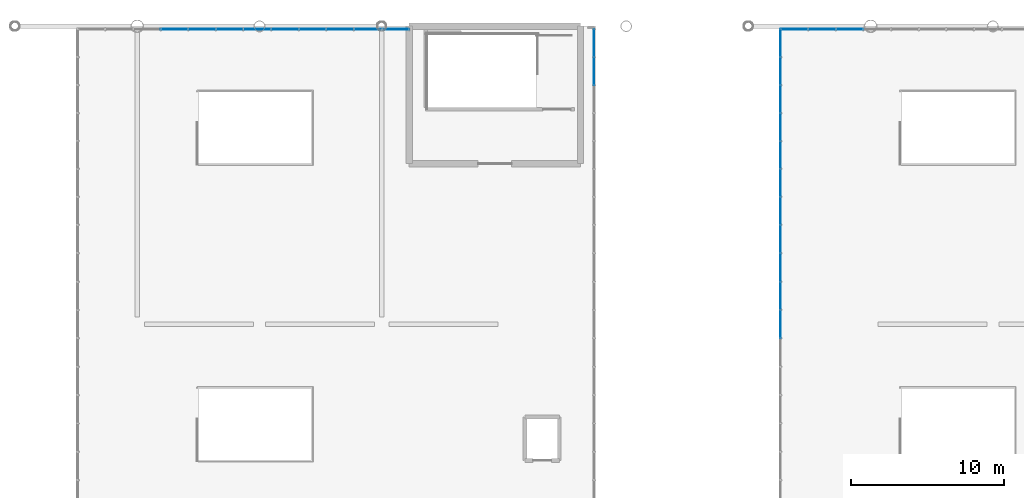
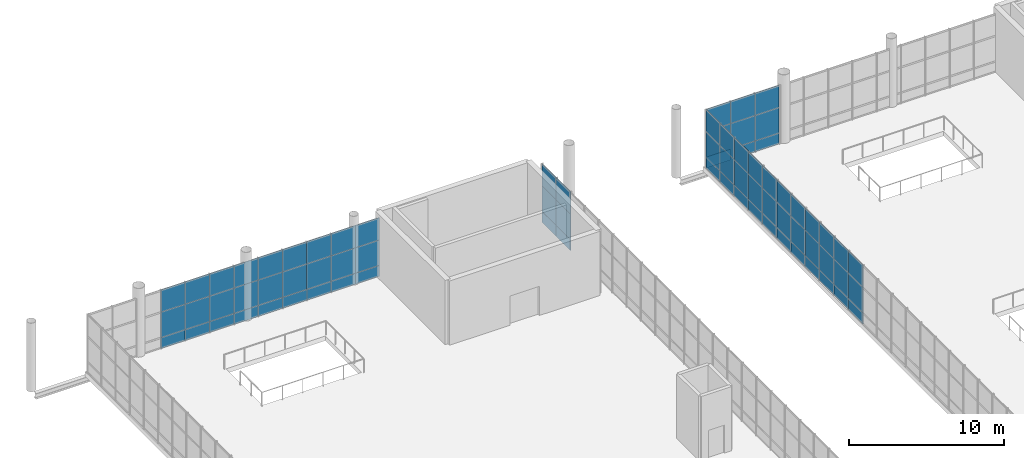
# One storey, part 134 of 176: 75 plates, 5 elements without a shape of their own.
"""IFC4 building model written with IfcOpenShell, lengths in metres."""

from ifc_helpers import new_model, si_unit, direction, frame, origin, origin_2d, place, context, subcontext, project, spatial, rectangle, extrude, material, layer, layer_set, type_object, element, aggregate, save


model = new_model("IFC4")

# Units and contexts
model_context = context("Model", 3, precision=1e-05, world=origin(), true_north=direction((0.0, 1.0)))
body_context = subcontext(model_context, "Body", "Model", "MODEL_VIEW")
ifc_project = project(units=[si_unit("LENGTHUNIT", "METRE"), si_unit("AREAUNIT", "SQUARE_METRE"), si_unit("VOLUMEUNIT", "CUBIC_METRE"), si_unit("PLANEANGLEUNIT", "RADIAN"), si_unit("MASSUNIT", "GRAM", prefix="KILO")], contexts=[model_context])

# Site, building, storey
site_placement = place(None, origin())
site = spatial("IfcSite", under=ifc_project, at=site_placement, CompositionType="ELEMENT")
building_placement = place(site_placement, origin())
building = spatial("IfcBuilding", under=site, at=building_placement, Name="Khorjan Park Terminus", CompositionType="ELEMENT")
storey_placement = place(building_placement, frame((0.0, 0.0, 6.0)))
storey = spatial("IfcBuildingStorey", under=building, at=storey_placement, Name="L01", CompositionType="ELEMENT", Elevation=6.0)

# Curtain wall, plates
ifc_material_1 = material(Name="Anodized Bronze Aluminium", Category="aluminium")
ifc_layer_1 = layer(ifc_material_1, 0.22)
ifc_layer_set_1 = layer_set([ifc_layer_1], Name="Anodized Bronze Aluminium")
curtain_wall_type = type_object("IfcCurtainWallType", Name="CW-BRG-D", PredefinedType="NOTDEFINED", material=ifc_layer_set_1)
curtain_wall_1_placement = place(storey_placement, origin())
curtain_wall_1 = element("IfcCurtainWall", 1, at=curtain_wall_1_placement, inside=storey, type_object=curtain_wall_type, Name="Unitized curtain wall CW-D (CW-BRW-E-4)", PredefinedType="NOTDEFINED")
ifc_material_2 = material(Name="Low-E Solar Control Double Glazing", Category="glass")
ifc_layer_2 = layer(ifc_material_2, 0.032)
ifc_layer_set_2 = layer_set([ifc_layer_2], Name="Low-E Solar Control Double Glazing")
plate_type_1 = type_object("IfcPlateType", Name="GL-VIS-32", PredefinedType="CURTAIN_PANEL", material=ifc_layer_set_2)
plate_1_placement = place(storey_placement, frame((85.9, 151.0571, 0.85), z_axis=(0.0, 0.0, 1.0), x_axis=(0.0, 1.0, 0.0)))
plate_1 = element("IfcPlate", 2, at=plate_1_placement, type_object=plate_type_1, Name="Curtain-wall panel VP-32 (CW-BRW-E-4-5-2)", PredefinedType="CURTAIN_PANEL", context=body_context, shape_type="SweptSolid", body=[
    extrude(rectangle(XDim=1.8286, YDim=0.032, at=origin_2d()), origin(), (0.0, 0.0, 1.0), 2.002),
])
plate_2_placement = place(storey_placement, frame((85.9, 151.0571, 2.852), z_axis=(0.0, 0.0, 1.0), x_axis=(0.0, 1.0, 0.0)))
plate_2 = element("IfcPlate", 3, at=plate_2_placement, type_object=plate_type_1, Name="Curtain-wall panel VP-32 (CW-BRW-E-4-5-3)", PredefinedType="CURTAIN_PANEL", context=body_context, shape_type="SweptSolid", body=[
    extrude(rectangle(XDim=1.8286, YDim=0.032, at=origin_2d()), origin(), (0.0, 0.0, 1.0), 1.758),
])
plate_3_placement = place(storey_placement, frame((85.9, 152.8857, 0.85), z_axis=(0.0, 0.0, 1.0), x_axis=(0.0, 1.0, 0.0)))
plate_3 = element("IfcPlate", 4, at=plate_3_placement, type_object=plate_type_1, Name="Curtain-wall panel VP-32 (CW-BRW-E-4-6-2)", PredefinedType="CURTAIN_PANEL", context=body_context, shape_type="SweptSolid", body=[
    extrude(rectangle(XDim=1.8286, YDim=0.032, at=origin_2d()), origin(), (0.0, 0.0, 1.0), 2.002),
])
plate_4_placement = place(storey_placement, frame((85.9, 152.8857, 2.852), z_axis=(0.0, 0.0, 1.0), x_axis=(0.0, 1.0, 0.0)))
plate_4 = element("IfcPlate", 5, at=plate_4_placement, type_object=plate_type_1, Name="Curtain-wall panel VP-32 (CW-BRW-E-4-6-3)", PredefinedType="CURTAIN_PANEL", context=body_context, shape_type="SweptSolid", body=[
    extrude(rectangle(XDim=1.8286, YDim=0.032, at=origin_2d()), origin(), (0.0, 0.0, 1.0), 1.758),
])

curtain_wall_2_placement = place(storey_placement, origin())
curtain_wall_2 = element("IfcCurtainWall", 6, at=curtain_wall_2_placement, inside=storey, type_object=curtain_wall_type, Name="Unitized curtain wall CW-D (CW-BRW-N)", PredefinedType="NOTDEFINED")
plate_5_placement = place(storey_placement, frame((72.8958, 153.8, 0.85), z_axis=(0.0, 0.0, 1.0), x_axis=(-1.0, 0.0, 0.0)))
plate_5 = element("IfcPlate", 7, at=plate_5_placement, type_object=plate_type_1, Name="Curtain-wall panel VP-32 (CW-BRW-N-0-2)", PredefinedType="CURTAIN_PANEL", context=body_context, shape_type="SweptSolid", body=[
    extrude(rectangle(XDim=1.8083, YDim=0.032, at=origin_2d()), origin(), (0.0, 0.0, 1.0), 2.002),
])
plate_6_placement = place(storey_placement, frame((72.8958, 153.8, 2.852), z_axis=(0.0, 0.0, 1.0), x_axis=(-1.0, 0.0, 0.0)))
plate_6 = element("IfcPlate", 8, at=plate_6_placement, type_object=plate_type_1, Name="Curtain-wall panel VP-32 (CW-BRW-N-0-3)", PredefinedType="CURTAIN_PANEL", context=body_context, shape_type="SweptSolid", body=[
    extrude(rectangle(XDim=1.8083, YDim=0.032, at=origin_2d()), origin(), (0.0, 0.0, 1.0), 1.758),
])
plate_7_placement = place(storey_placement, frame((71.0875, 153.8, 0.85), z_axis=(0.0, 0.0, 1.0), x_axis=(-1.0, 0.0, 0.0)))
plate_7 = element("IfcPlate", 9, at=plate_7_placement, type_object=plate_type_1, Name="Curtain-wall panel VP-32 (CW-BRW-N-1-2)", PredefinedType="CURTAIN_PANEL", context=body_context, shape_type="SweptSolid", body=[
    extrude(rectangle(XDim=1.8083, YDim=0.032, at=origin_2d()), origin(), (0.0, 0.0, 1.0), 2.002),
])
plate_8_placement = place(storey_placement, frame((71.0875, 153.8, 2.852), z_axis=(0.0, 0.0, 1.0), x_axis=(-1.0, 0.0, 0.0)))
plate_8 = element("IfcPlate", 10, at=plate_8_placement, type_object=plate_type_1, Name="Curtain-wall panel VP-32 (CW-BRW-N-1-3)", PredefinedType="CURTAIN_PANEL", context=body_context, shape_type="SweptSolid", body=[
    extrude(rectangle(XDim=1.8083, YDim=0.032, at=origin_2d()), origin(), (0.0, 0.0, 1.0), 1.758),
])
plate_9_placement = place(storey_placement, frame((69.2792, 153.8, 0.85), z_axis=(0.0, 0.0, 1.0), x_axis=(-1.0, 0.0, 0.0)))
plate_9 = element("IfcPlate", 11, at=plate_9_placement, type_object=plate_type_1, Name="Curtain-wall panel VP-32 (CW-BRW-N-2-2)", PredefinedType="CURTAIN_PANEL", context=body_context, shape_type="SweptSolid", body=[
    extrude(rectangle(XDim=1.8083, YDim=0.032, at=origin_2d()), origin(), (0.0, 0.0, 1.0), 2.002),
])
plate_10_placement = place(storey_placement, frame((69.2792, 153.8, 2.852), z_axis=(0.0, 0.0, 1.0), x_axis=(-1.0, 0.0, 0.0)))
plate_10 = element("IfcPlate", 12, at=plate_10_placement, type_object=plate_type_1, Name="Curtain-wall panel VP-32 (CW-BRW-N-2-3)", PredefinedType="CURTAIN_PANEL", context=body_context, shape_type="SweptSolid", body=[
    extrude(rectangle(XDim=1.8083, YDim=0.032, at=origin_2d()), origin(), (0.0, 0.0, 1.0), 1.758),
])
plate_11_placement = place(storey_placement, frame((67.4708, 153.8, 0.85), z_axis=(0.0, 0.0, 1.0), x_axis=(-1.0, 0.0, 0.0)))
plate_11 = element("IfcPlate", 13, at=plate_11_placement, type_object=plate_type_1, Name="Curtain-wall panel VP-32 (CW-BRW-N-3-2)", PredefinedType="CURTAIN_PANEL", context=body_context, shape_type="SweptSolid", body=[
    extrude(rectangle(XDim=1.8083, YDim=0.032, at=origin_2d()), origin(), (0.0, 0.0, 1.0), 2.002),
])
plate_12_placement = place(storey_placement, frame((67.4708, 153.8, 2.852), z_axis=(0.0, 0.0, 1.0), x_axis=(-1.0, 0.0, 0.0)))
plate_12 = element("IfcPlate", 14, at=plate_12_placement, type_object=plate_type_1, Name="Curtain-wall panel VP-32 (CW-BRW-N-3-3)", PredefinedType="CURTAIN_PANEL", context=body_context, shape_type="SweptSolid", body=[
    extrude(rectangle(XDim=1.8083, YDim=0.032, at=origin_2d()), origin(), (0.0, 0.0, 1.0), 1.758),
])
plate_13_placement = place(storey_placement, frame((65.6625, 153.8, 0.85), z_axis=(0.0, 0.0, 1.0), x_axis=(-1.0, 0.0, 0.0)))
plate_13 = element("IfcPlate", 15, at=plate_13_placement, type_object=plate_type_1, Name="Curtain-wall panel VP-32 (CW-BRW-N-4-2)", PredefinedType="CURTAIN_PANEL", context=body_context, shape_type="SweptSolid", body=[
    extrude(rectangle(XDim=1.8083, YDim=0.032, at=origin_2d()), origin(), (0.0, 0.0, 1.0), 2.002),
])
plate_14_placement = place(storey_placement, frame((65.6625, 153.8, 2.852), z_axis=(0.0, 0.0, 1.0), x_axis=(-1.0, 0.0, 0.0)))
plate_14 = element("IfcPlate", 16, at=plate_14_placement, type_object=plate_type_1, Name="Curtain-wall panel VP-32 (CW-BRW-N-4-3)", PredefinedType="CURTAIN_PANEL", context=body_context, shape_type="SweptSolid", body=[
    extrude(rectangle(XDim=1.8083, YDim=0.032, at=origin_2d()), origin(), (0.0, 0.0, 1.0), 1.758),
])
plate_15_placement = place(storey_placement, frame((63.8542, 153.8, 0.85), z_axis=(0.0, 0.0, 1.0), x_axis=(-1.0, 0.0, 0.0)))
plate_15 = element("IfcPlate", 17, at=plate_15_placement, type_object=plate_type_1, Name="Curtain-wall panel VP-32 (CW-BRW-N-5-2)", PredefinedType="CURTAIN_PANEL", context=body_context, shape_type="SweptSolid", body=[
    extrude(rectangle(XDim=1.8083, YDim=0.032, at=origin_2d()), origin(), (0.0, 0.0, 1.0), 2.002),
])
plate_16_placement = place(storey_placement, frame((63.8542, 153.8, 2.852), z_axis=(0.0, 0.0, 1.0), x_axis=(-1.0, 0.0, 0.0)))
plate_16 = element("IfcPlate", 18, at=plate_16_placement, type_object=plate_type_1, Name="Curtain-wall panel VP-32 (CW-BRW-N-5-3)", PredefinedType="CURTAIN_PANEL", context=body_context, shape_type="SweptSolid", body=[
    extrude(rectangle(XDim=1.8083, YDim=0.032, at=origin_2d()), origin(), (0.0, 0.0, 1.0), 1.758),
])
plate_17_placement = place(storey_placement, frame((62.0459, 153.8, 0.85), z_axis=(0.0, 0.0, 1.0), x_axis=(-1.0, 0.0, 0.0)))
plate_17 = element("IfcPlate", 19, at=plate_17_placement, type_object=plate_type_1, Name="Curtain-wall panel VP-32 (CW-BRW-N-6-2)", PredefinedType="CURTAIN_PANEL", context=body_context, shape_type="SweptSolid", body=[
    extrude(rectangle(XDim=1.8083, YDim=0.032, at=origin_2d()), origin(), (0.0, 0.0, 1.0), 2.002),
])
plate_18_placement = place(storey_placement, frame((62.0459, 153.8, 2.852), z_axis=(0.0, 0.0, 1.0), x_axis=(-1.0, 0.0, 0.0)))
plate_18 = element("IfcPlate", 20, at=plate_18_placement, type_object=plate_type_1, Name="Curtain-wall panel VP-32 (CW-BRW-N-6-3)", PredefinedType="CURTAIN_PANEL", context=body_context, shape_type="SweptSolid", body=[
    extrude(rectangle(XDim=1.8083, YDim=0.032, at=origin_2d()), origin(), (0.0, 0.0, 1.0), 1.758),
])
plate_19_placement = place(storey_placement, frame((60.2375, 153.8, 0.85), z_axis=(0.0, 0.0, 1.0), x_axis=(-1.0, 0.0, 0.0)))
plate_19 = element("IfcPlate", 21, at=plate_19_placement, type_object=plate_type_1, Name="Curtain-wall panel VP-32 (CW-BRW-N-7-2)", PredefinedType="CURTAIN_PANEL", context=body_context, shape_type="SweptSolid", body=[
    extrude(rectangle(XDim=1.8083, YDim=0.032, at=origin_2d()), origin(), (0.0, 0.0, 1.0), 2.002),
])
plate_20_placement = place(storey_placement, frame((60.2375, 153.8, 2.852), z_axis=(0.0, 0.0, 1.0), x_axis=(-1.0, 0.0, 0.0)))
plate_20 = element("IfcPlate", 22, at=plate_20_placement, type_object=plate_type_1, Name="Curtain-wall panel VP-32 (CW-BRW-N-7-3)", PredefinedType="CURTAIN_PANEL", context=body_context, shape_type="SweptSolid", body=[
    extrude(rectangle(XDim=1.8083, YDim=0.032, at=origin_2d()), origin(), (0.0, 0.0, 1.0), 1.758),
])
plate_21_placement = place(storey_placement, frame((58.4291, 153.8, 0.85), z_axis=(0.0, 0.0, 1.0), x_axis=(-1.0, 0.0, 0.0)))
plate_21 = element("IfcPlate", 23, at=plate_21_placement, type_object=plate_type_1, Name="Curtain-wall panel VP-32 (CW-BRW-N-8-2)", PredefinedType="CURTAIN_PANEL", context=body_context, shape_type="SweptSolid", body=[
    extrude(rectangle(XDim=1.8083, YDim=0.032, at=origin_2d()), origin(), (0.0, 0.0, 1.0), 2.002),
])
plate_22_placement = place(storey_placement, frame((58.4291, 153.8, 2.852), z_axis=(0.0, 0.0, 1.0), x_axis=(-1.0, 0.0, 0.0)))
plate_22 = element("IfcPlate", 24, at=plate_22_placement, type_object=plate_type_1, Name="Curtain-wall panel VP-32 (CW-BRW-N-8-3)", PredefinedType="CURTAIN_PANEL", context=body_context, shape_type="SweptSolid", body=[
    extrude(rectangle(XDim=1.8083, YDim=0.032, at=origin_2d()), origin(), (0.0, 0.0, 1.0), 1.758),
])

curtain_wall_3_placement = place(storey_placement, origin())
curtain_wall_3 = element("IfcCurtainWall", 25, at=curtain_wall_3_placement, inside=storey, type_object=curtain_wall_type, Name="Unitized curtain wall CW-D (CW-BRE-W-3)", PredefinedType="NOTDEFINED")
plate_23_placement = place(storey_placement, frame((98.1, 140.0714, 0.85), z_axis=(0.0, 0.0, 1.0), x_axis=(0.0, -1.0, 0.0)))
plate_23 = element("IfcPlate", 26, at=plate_23_placement, type_object=plate_type_1, Name="Curtain-wall panel VP-32 (CW-BRE-W-3-0-2)", PredefinedType="CURTAIN_PANEL", context=body_context, shape_type="SweptSolid", body=[
    extrude(rectangle(XDim=1.8571, YDim=0.032, at=origin_2d()), origin(), (0.0, 0.0, 1.0), 2.002),
])
plate_24_placement = place(storey_placement, frame((98.1, 140.0714, 2.852), z_axis=(0.0, 0.0, 1.0), x_axis=(0.0, -1.0, 0.0)))
plate_24 = element("IfcPlate", 27, at=plate_24_placement, type_object=plate_type_1, Name="Curtain-wall panel VP-32 (CW-BRE-W-3-0-3)", PredefinedType="CURTAIN_PANEL", context=body_context, shape_type="SweptSolid", body=[
    extrude(rectangle(XDim=1.8571, YDim=0.032, at=origin_2d()), origin(), (0.0, 0.0, 1.0), 1.758),
])
plate_25_placement = place(storey_placement, frame((98.1, 138.2143, 0.85), z_axis=(0.0, 0.0, 1.0), x_axis=(0.0, -1.0, 0.0)))
plate_25 = element("IfcPlate", 28, at=plate_25_placement, type_object=plate_type_1, Name="Curtain-wall panel VP-32 (CW-BRE-W-3-1-2)", PredefinedType="CURTAIN_PANEL", context=body_context, shape_type="SweptSolid", body=[
    extrude(rectangle(XDim=1.8571, YDim=0.032, at=origin_2d()), origin(), (0.0, 0.0, 1.0), 2.002),
])
plate_26_placement = place(storey_placement, frame((98.1, 138.2143, 2.852), z_axis=(0.0, 0.0, 1.0), x_axis=(0.0, -1.0, 0.0)))
plate_26 = element("IfcPlate", 29, at=plate_26_placement, type_object=plate_type_1, Name="Curtain-wall panel VP-32 (CW-BRE-W-3-1-3)", PredefinedType="CURTAIN_PANEL", context=body_context, shape_type="SweptSolid", body=[
    extrude(rectangle(XDim=1.8571, YDim=0.032, at=origin_2d()), origin(), (0.0, 0.0, 1.0), 1.758),
])
plate_27_placement = place(storey_placement, frame((98.1, 136.3571, 0.85), z_axis=(0.0, 0.0, 1.0), x_axis=(0.0, -1.0, 0.0)))
plate_27 = element("IfcPlate", 30, at=plate_27_placement, type_object=plate_type_1, Name="Curtain-wall panel VP-32 (CW-BRE-W-3-2-2)", PredefinedType="CURTAIN_PANEL", context=body_context, shape_type="SweptSolid", body=[
    extrude(rectangle(XDim=1.8571, YDim=0.032, at=origin_2d()), origin(), (0.0, 0.0, 1.0), 2.002),
])
plate_28_placement = place(storey_placement, frame((98.1, 136.3571, 2.852), z_axis=(0.0, 0.0, 1.0), x_axis=(0.0, -1.0, 0.0)))
plate_28 = element("IfcPlate", 31, at=plate_28_placement, type_object=plate_type_1, Name="Curtain-wall panel VP-32 (CW-BRE-W-3-2-3)", PredefinedType="CURTAIN_PANEL", context=body_context, shape_type="SweptSolid", body=[
    extrude(rectangle(XDim=1.8571, YDim=0.032, at=origin_2d()), origin(), (0.0, 0.0, 1.0), 1.758),
])
plate_29_placement = place(storey_placement, frame((98.1, 134.5, 0.85), z_axis=(0.0, 0.0, 1.0), x_axis=(0.0, -1.0, 0.0)))
plate_29 = element("IfcPlate", 32, at=plate_29_placement, type_object=plate_type_1, Name="Curtain-wall panel VP-32 (CW-BRE-W-3-3-2)", PredefinedType="CURTAIN_PANEL", context=body_context, shape_type="SweptSolid", body=[
    extrude(rectangle(XDim=1.8571, YDim=0.032, at=origin_2d()), origin(), (0.0, 0.0, 1.0), 2.002),
])
plate_30_placement = place(storey_placement, frame((98.1, 134.5, 2.852), z_axis=(0.0, 0.0, 1.0), x_axis=(0.0, -1.0, 0.0)))
plate_30 = element("IfcPlate", 33, at=plate_30_placement, type_object=plate_type_1, Name="Curtain-wall panel VP-32 (CW-BRE-W-3-3-3)", PredefinedType="CURTAIN_PANEL", context=body_context, shape_type="SweptSolid", body=[
    extrude(rectangle(XDim=1.8571, YDim=0.032, at=origin_2d()), origin(), (0.0, 0.0, 1.0), 1.758),
])

curtain_wall_4_placement = place(storey_placement, origin())
curtain_wall_4 = element("IfcCurtainWall", 34, at=curtain_wall_4_placement, inside=storey, type_object=curtain_wall_type, Name="Unitized curtain wall CW-D (CW-BRE-W-4)", PredefinedType="NOTDEFINED")
plate_31_placement = place(storey_placement, frame((98.1, 152.8857, 0.85), z_axis=(0.0, 0.0, 1.0), x_axis=(0.0, -1.0, 0.0)))
plate_31 = element("IfcPlate", 35, at=plate_31_placement, type_object=plate_type_1, Name="Curtain-wall panel VP-32 (CW-BRE-W-4-0-2)", PredefinedType="CURTAIN_PANEL", context=body_context, shape_type="SweptSolid", body=[
    extrude(rectangle(XDim=1.8286, YDim=0.032, at=origin_2d()), origin(), (0.0, 0.0, 1.0), 2.002),
])
plate_32_placement = place(storey_placement, frame((98.1, 152.8857, 2.852), z_axis=(0.0, 0.0, 1.0), x_axis=(0.0, -1.0, 0.0)))
plate_32 = element("IfcPlate", 36, at=plate_32_placement, type_object=plate_type_1, Name="Curtain-wall panel VP-32 (CW-BRE-W-4-0-3)", PredefinedType="CURTAIN_PANEL", context=body_context, shape_type="SweptSolid", body=[
    extrude(rectangle(XDim=1.8286, YDim=0.032, at=origin_2d()), origin(), (0.0, 0.0, 1.0), 1.758),
])
plate_33_placement = place(storey_placement, frame((98.1, 151.0571, 0.85), z_axis=(0.0, 0.0, 1.0), x_axis=(0.0, -1.0, 0.0)))
plate_33 = element("IfcPlate", 37, at=plate_33_placement, type_object=plate_type_1, Name="Curtain-wall panel VP-32 (CW-BRE-W-4-1-2)", PredefinedType="CURTAIN_PANEL", context=body_context, shape_type="SweptSolid", body=[
    extrude(rectangle(XDim=1.8286, YDim=0.032, at=origin_2d()), origin(), (0.0, 0.0, 1.0), 2.002),
])
plate_34_placement = place(storey_placement, frame((98.1, 151.0571, 2.852), z_axis=(0.0, 0.0, 1.0), x_axis=(0.0, -1.0, 0.0)))
plate_34 = element("IfcPlate", 38, at=plate_34_placement, type_object=plate_type_1, Name="Curtain-wall panel VP-32 (CW-BRE-W-4-1-3)", PredefinedType="CURTAIN_PANEL", context=body_context, shape_type="SweptSolid", body=[
    extrude(rectangle(XDim=1.8286, YDim=0.032, at=origin_2d()), origin(), (0.0, 0.0, 1.0), 1.758),
])
plate_35_placement = place(storey_placement, frame((98.1, 149.2286, 0.85), z_axis=(0.0, 0.0, 1.0), x_axis=(0.0, -1.0, 0.0)))
plate_35 = element("IfcPlate", 39, at=plate_35_placement, type_object=plate_type_1, Name="Curtain-wall panel VP-32 (CW-BRE-W-4-2-2)", PredefinedType="CURTAIN_PANEL", context=body_context, shape_type="SweptSolid", body=[
    extrude(rectangle(XDim=1.8286, YDim=0.032, at=origin_2d()), origin(), (0.0, 0.0, 1.0), 2.002),
])
plate_36_placement = place(storey_placement, frame((98.1, 149.2286, 2.852), z_axis=(0.0, 0.0, 1.0), x_axis=(0.0, -1.0, 0.0)))
plate_36 = element("IfcPlate", 40, at=plate_36_placement, type_object=plate_type_1, Name="Curtain-wall panel VP-32 (CW-BRE-W-4-2-3)", PredefinedType="CURTAIN_PANEL", context=body_context, shape_type="SweptSolid", body=[
    extrude(rectangle(XDim=1.8286, YDim=0.032, at=origin_2d()), origin(), (0.0, 0.0, 1.0), 1.758),
])
plate_37_placement = place(storey_placement, frame((98.1, 147.4, 0.85), z_axis=(0.0, 0.0, 1.0), x_axis=(0.0, -1.0, 0.0)))
plate_37 = element("IfcPlate", 41, at=plate_37_placement, type_object=plate_type_1, Name="Curtain-wall panel VP-32 (CW-BRE-W-4-3-2)", PredefinedType="CURTAIN_PANEL", context=body_context, shape_type="SweptSolid", body=[
    extrude(rectangle(XDim=1.8286, YDim=0.032, at=origin_2d()), origin(), (0.0, 0.0, 1.0), 2.002),
])
plate_38_placement = place(storey_placement, frame((98.1, 147.4, 2.852), z_axis=(0.0, 0.0, 1.0), x_axis=(0.0, -1.0, 0.0)))
plate_38 = element("IfcPlate", 42, at=plate_38_placement, type_object=plate_type_1, Name="Curtain-wall panel VP-32 (CW-BRE-W-4-3-3)", PredefinedType="CURTAIN_PANEL", context=body_context, shape_type="SweptSolid", body=[
    extrude(rectangle(XDim=1.8286, YDim=0.032, at=origin_2d()), origin(), (0.0, 0.0, 1.0), 1.758),
])
plate_39_placement = place(storey_placement, frame((98.1, 145.5714, 0.85), z_axis=(0.0, 0.0, 1.0), x_axis=(0.0, -1.0, 0.0)))
plate_39 = element("IfcPlate", 43, at=plate_39_placement, type_object=plate_type_1, Name="Curtain-wall panel VP-32 (CW-BRE-W-4-4-2)", PredefinedType="CURTAIN_PANEL", context=body_context, shape_type="SweptSolid", body=[
    extrude(rectangle(XDim=1.8286, YDim=0.032, at=origin_2d()), origin(), (0.0, 0.0, 1.0), 2.002),
])
plate_40_placement = place(storey_placement, frame((98.1, 145.5714, 2.852), z_axis=(0.0, 0.0, 1.0), x_axis=(0.0, -1.0, 0.0)))
plate_40 = element("IfcPlate", 44, at=plate_40_placement, type_object=plate_type_1, Name="Curtain-wall panel VP-32 (CW-BRE-W-4-4-3)", PredefinedType="CURTAIN_PANEL", context=body_context, shape_type="SweptSolid", body=[
    extrude(rectangle(XDim=1.8286, YDim=0.032, at=origin_2d()), origin(), (0.0, 0.0, 1.0), 1.758),
])
plate_41_placement = place(storey_placement, frame((98.1, 143.7429, 0.85), z_axis=(0.0, 0.0, 1.0), x_axis=(0.0, -1.0, 0.0)))
plate_41 = element("IfcPlate", 45, at=plate_41_placement, type_object=plate_type_1, Name="Curtain-wall panel VP-32 (CW-BRE-W-4-5-2)", PredefinedType="CURTAIN_PANEL", context=body_context, shape_type="SweptSolid", body=[
    extrude(rectangle(XDim=1.8286, YDim=0.032, at=origin_2d()), origin(), (0.0, 0.0, 1.0), 2.002),
])
plate_42_placement = place(storey_placement, frame((98.1, 143.7429, 2.852), z_axis=(0.0, 0.0, 1.0), x_axis=(0.0, -1.0, 0.0)))
plate_42 = element("IfcPlate", 46, at=plate_42_placement, type_object=plate_type_1, Name="Curtain-wall panel VP-32 (CW-BRE-W-4-5-3)", PredefinedType="CURTAIN_PANEL", context=body_context, shape_type="SweptSolid", body=[
    extrude(rectangle(XDim=1.8286, YDim=0.032, at=origin_2d()), origin(), (0.0, 0.0, 1.0), 1.758),
])
plate_43_placement = place(storey_placement, frame((98.1, 141.9143, 0.85), z_axis=(0.0, 0.0, 1.0), x_axis=(0.0, -1.0, 0.0)))
plate_43 = element("IfcPlate", 47, at=plate_43_placement, type_object=plate_type_1, Name="Curtain-wall panel VP-32 (CW-BRE-W-4-6-2)", PredefinedType="CURTAIN_PANEL", context=body_context, shape_type="SweptSolid", body=[
    extrude(rectangle(XDim=1.8286, YDim=0.032, at=origin_2d()), origin(), (0.0, 0.0, 1.0), 2.002),
])
plate_44_placement = place(storey_placement, frame((98.1, 141.9143, 2.852), z_axis=(0.0, 0.0, 1.0), x_axis=(0.0, -1.0, 0.0)))
plate_44 = element("IfcPlate", 48, at=plate_44_placement, type_object=plate_type_1, Name="Curtain-wall panel VP-32 (CW-BRE-W-4-6-3)", PredefinedType="CURTAIN_PANEL", context=body_context, shape_type="SweptSolid", body=[
    extrude(rectangle(XDim=1.8286, YDim=0.032, at=origin_2d()), origin(), (0.0, 0.0, 1.0), 1.758),
])

curtain_wall_5_placement = place(storey_placement, origin())
curtain_wall_5 = element("IfcCurtainWall", 49, at=curtain_wall_5_placement, inside=storey, type_object=curtain_wall_type, Name="Unitized curtain wall CW-D (CW-BRE-N)", PredefinedType="NOTDEFINED")
plate_45_placement = place(storey_placement, frame((102.6209, 153.8, 0.85), z_axis=(0.0, 0.0, 1.0), x_axis=(-1.0, 0.0, 0.0)))
plate_45 = element("IfcPlate", 50, at=plate_45_placement, type_object=plate_type_1, Name="Curtain-wall panel VP-32 (CW-BRE-N-9-2)", PredefinedType="CURTAIN_PANEL", context=body_context, shape_type="SweptSolid", body=[
    extrude(rectangle(XDim=1.8083, YDim=0.032, at=origin_2d()), origin(), (0.0, 0.0, 1.0), 2.002),
])
plate_46_placement = place(storey_placement, frame((102.6209, 153.8, 2.852), z_axis=(0.0, 0.0, 1.0), x_axis=(-1.0, 0.0, 0.0)))
plate_46 = element("IfcPlate", 51, at=plate_46_placement, type_object=plate_type_1, Name="Curtain-wall panel VP-32 (CW-BRE-N-9-3)", PredefinedType="CURTAIN_PANEL", context=body_context, shape_type="SweptSolid", body=[
    extrude(rectangle(XDim=1.8083, YDim=0.032, at=origin_2d()), origin(), (0.0, 0.0, 1.0), 1.758),
])
plate_47_placement = place(storey_placement, frame((100.8125, 153.8, 0.85), z_axis=(0.0, 0.0, 1.0), x_axis=(-1.0, 0.0, 0.0)))
plate_47 = element("IfcPlate", 52, at=plate_47_placement, type_object=plate_type_1, Name="Curtain-wall panel VP-32 (CW-BRE-N-10-2)", PredefinedType="CURTAIN_PANEL", context=body_context, shape_type="SweptSolid", body=[
    extrude(rectangle(XDim=1.8083, YDim=0.032, at=origin_2d()), origin(), (0.0, 0.0, 1.0), 2.002),
])
plate_48_placement = place(storey_placement, frame((100.8125, 153.8, 2.852), z_axis=(0.0, 0.0, 1.0), x_axis=(-1.0, 0.0, 0.0)))
plate_48 = element("IfcPlate", 53, at=plate_48_placement, type_object=plate_type_1, Name="Curtain-wall panel VP-32 (CW-BRE-N-10-3)", PredefinedType="CURTAIN_PANEL", context=body_context, shape_type="SweptSolid", body=[
    extrude(rectangle(XDim=1.8083, YDim=0.032, at=origin_2d()), origin(), (0.0, 0.0, 1.0), 1.758),
])
plate_49_placement = place(storey_placement, frame((99.0041, 153.8, 0.85), z_axis=(0.0, 0.0, 1.0), x_axis=(-1.0, 0.0, 0.0)))
plate_49 = element("IfcPlate", 54, at=plate_49_placement, type_object=plate_type_1, Name="Curtain-wall panel VP-32 (CW-BRE-N-11-2)", PredefinedType="CURTAIN_PANEL", context=body_context, shape_type="SweptSolid", body=[
    extrude(rectangle(XDim=1.8083, YDim=0.032, at=origin_2d()), origin(), (0.0, 0.0, 1.0), 2.002),
])
plate_50_placement = place(storey_placement, frame((99.0041, 153.8, 2.852), z_axis=(0.0, 0.0, 1.0), x_axis=(-1.0, 0.0, 0.0)))
plate_50 = element("IfcPlate", 55, at=plate_50_placement, type_object=plate_type_1, Name="Curtain-wall panel VP-32 (CW-BRE-N-11-3)", PredefinedType="CURTAIN_PANEL", context=body_context, shape_type="SweptSolid", body=[
    extrude(rectangle(XDim=1.8083, YDim=0.032, at=origin_2d()), origin(), (0.0, 0.0, 1.0), 1.758),
])

# Plate
ifc_material_3 = material(Name="Insulated Anodized Bronze Spandrel Panel")
ifc_layer_3 = layer(ifc_material_3, 0.045)
ifc_layer_set_3 = layer_set([ifc_layer_3], Name="Insulated Anodized Bronze Spandrel Panel")
plate_type_2 = type_object("IfcPlateType", Name="SP-AL-45", PredefinedType="CURTAIN_PANEL", material=ifc_layer_set_3)
plate_51_placement = place(storey_placement, frame((85.9, 151.0571, -0.01), z_axis=(0.0, 0.0, 1.0), x_axis=(0.0, 1.0, 0.0)))
plate_51 = element("IfcPlate", 56, at=plate_51_placement, type_object=plate_type_2, Name="Curtain-wall panel SP-A45 (CW-BRW-E-4-5-1)", PredefinedType="CURTAIN_PANEL", context=body_context, shape_type="SweptSolid", body=[
    extrude(rectangle(XDim=1.8286, YDim=0.045, at=origin_2d()), origin(), (0.0, 0.0, 1.0), 0.86),
])

plate_52_placement = place(storey_placement, frame((85.9, 152.8857, -0.01), z_axis=(0.0, 0.0, 1.0), x_axis=(0.0, 1.0, 0.0)))
plate_52 = element("IfcPlate", 57, at=plate_52_placement, type_object=plate_type_2, Name="Curtain-wall panel SP-A45 (CW-BRW-E-4-6-1)", PredefinedType="CURTAIN_PANEL", context=body_context, shape_type="SweptSolid", body=[
    extrude(rectangle(XDim=1.8286, YDim=0.045, at=origin_2d()), origin(), (0.0, 0.0, 1.0), 0.86),
])

aggregate(curtain_wall_1, [plate_51, plate_1, plate_2, plate_52, plate_3, plate_4])

plate_53_placement = place(storey_placement, frame((72.8958, 153.8, -0.01), z_axis=(0.0, 0.0, 1.0), x_axis=(-1.0, 0.0, 0.0)))
plate_53 = element("IfcPlate", 58, at=plate_53_placement, type_object=plate_type_2, Name="Curtain-wall panel SP-A45 (CW-BRW-N-0-1)", PredefinedType="CURTAIN_PANEL", context=body_context, shape_type="SweptSolid", body=[
    extrude(rectangle(XDim=1.8083, YDim=0.045, at=origin_2d()), origin(), (0.0, 0.0, 1.0), 0.86),
])

plate_54_placement = place(storey_placement, frame((71.0875, 153.8, -0.01), z_axis=(0.0, 0.0, 1.0), x_axis=(-1.0, 0.0, 0.0)))
plate_54 = element("IfcPlate", 59, at=plate_54_placement, type_object=plate_type_2, Name="Curtain-wall panel SP-A45 (CW-BRW-N-1-1)", PredefinedType="CURTAIN_PANEL", context=body_context, shape_type="SweptSolid", body=[
    extrude(rectangle(XDim=1.8083, YDim=0.045, at=origin_2d()), origin(), (0.0, 0.0, 1.0), 0.86),
])

plate_55_placement = place(storey_placement, frame((69.2792, 153.8, -0.01), z_axis=(0.0, 0.0, 1.0), x_axis=(-1.0, 0.0, 0.0)))
plate_55 = element("IfcPlate", 60, at=plate_55_placement, type_object=plate_type_2, Name="Curtain-wall panel SP-A45 (CW-BRW-N-2-1)", PredefinedType="CURTAIN_PANEL", context=body_context, shape_type="SweptSolid", body=[
    extrude(rectangle(XDim=1.8083, YDim=0.045, at=origin_2d()), origin(), (0.0, 0.0, 1.0), 0.86),
])

plate_56_placement = place(storey_placement, frame((67.4708, 153.8, -0.01), z_axis=(0.0, 0.0, 1.0), x_axis=(-1.0, 0.0, 0.0)))
plate_56 = element("IfcPlate", 61, at=plate_56_placement, type_object=plate_type_2, Name="Curtain-wall panel SP-A45 (CW-BRW-N-3-1)", PredefinedType="CURTAIN_PANEL", context=body_context, shape_type="SweptSolid", body=[
    extrude(rectangle(XDim=1.8083, YDim=0.045, at=origin_2d()), origin(), (0.0, 0.0, 1.0), 0.86),
])

plate_57_placement = place(storey_placement, frame((65.6625, 153.8, -0.01), z_axis=(0.0, 0.0, 1.0), x_axis=(-1.0, 0.0, 0.0)))
plate_57 = element("IfcPlate", 62, at=plate_57_placement, type_object=plate_type_2, Name="Curtain-wall panel SP-A45 (CW-BRW-N-4-1)", PredefinedType="CURTAIN_PANEL", context=body_context, shape_type="SweptSolid", body=[
    extrude(rectangle(XDim=1.8083, YDim=0.045, at=origin_2d()), origin(), (0.0, 0.0, 1.0), 0.86),
])

plate_58_placement = place(storey_placement, frame((63.8542, 153.8, -0.01), z_axis=(0.0, 0.0, 1.0), x_axis=(-1.0, 0.0, 0.0)))
plate_58 = element("IfcPlate", 63, at=plate_58_placement, type_object=plate_type_2, Name="Curtain-wall panel SP-A45 (CW-BRW-N-5-1)", PredefinedType="CURTAIN_PANEL", context=body_context, shape_type="SweptSolid", body=[
    extrude(rectangle(XDim=1.8083, YDim=0.045, at=origin_2d()), origin(), (0.0, 0.0, 1.0), 0.86),
])

plate_59_placement = place(storey_placement, frame((62.0459, 153.8, -0.01), z_axis=(0.0, 0.0, 1.0), x_axis=(-1.0, 0.0, 0.0)))
plate_59 = element("IfcPlate", 64, at=plate_59_placement, type_object=plate_type_2, Name="Curtain-wall panel SP-A45 (CW-BRW-N-6-1)", PredefinedType="CURTAIN_PANEL", context=body_context, shape_type="SweptSolid", body=[
    extrude(rectangle(XDim=1.8083, YDim=0.045, at=origin_2d()), origin(), (0.0, 0.0, 1.0), 0.86),
])

plate_60_placement = place(storey_placement, frame((60.2375, 153.8, -0.01), z_axis=(0.0, 0.0, 1.0), x_axis=(-1.0, 0.0, 0.0)))
plate_60 = element("IfcPlate", 65, at=plate_60_placement, type_object=plate_type_2, Name="Curtain-wall panel SP-A45 (CW-BRW-N-7-1)", PredefinedType="CURTAIN_PANEL", context=body_context, shape_type="SweptSolid", body=[
    extrude(rectangle(XDim=1.8083, YDim=0.045, at=origin_2d()), origin(), (0.0, 0.0, 1.0), 0.86),
])

plate_61_placement = place(storey_placement, frame((58.4291, 153.8, -0.01), z_axis=(0.0, 0.0, 1.0), x_axis=(-1.0, 0.0, 0.0)))
plate_61 = element("IfcPlate", 66, at=plate_61_placement, type_object=plate_type_2, Name="Curtain-wall panel SP-A45 (CW-BRW-N-8-1)", PredefinedType="CURTAIN_PANEL", context=body_context, shape_type="SweptSolid", body=[
    extrude(rectangle(XDim=1.8083, YDim=0.045, at=origin_2d()), origin(), (0.0, 0.0, 1.0), 0.86),
])

aggregate(curtain_wall_2, [plate_53, plate_5, plate_6, plate_54, plate_7, plate_8, plate_55, plate_9, plate_10, plate_56, plate_11, plate_12, plate_57, plate_13, plate_14, plate_58, plate_15, plate_16, plate_59, plate_17, plate_18, plate_60, plate_19, plate_20, plate_61, plate_21, plate_22])

plate_62_placement = place(storey_placement, frame((98.1, 140.0714, -0.01), z_axis=(0.0, 0.0, 1.0), x_axis=(0.0, -1.0, 0.0)))
plate_62 = element("IfcPlate", 67, at=plate_62_placement, type_object=plate_type_2, Name="Curtain-wall panel SP-A45 (CW-BRE-W-3-0-1)", PredefinedType="CURTAIN_PANEL", context=body_context, shape_type="SweptSolid", body=[
    extrude(rectangle(XDim=1.8571, YDim=0.045, at=origin_2d()), origin(), (0.0, 0.0, 1.0), 0.86),
])

plate_63_placement = place(storey_placement, frame((98.1, 138.2143, -0.01), z_axis=(0.0, 0.0, 1.0), x_axis=(0.0, -1.0, 0.0)))
plate_63 = element("IfcPlate", 68, at=plate_63_placement, type_object=plate_type_2, Name="Curtain-wall panel SP-A45 (CW-BRE-W-3-1-1)", PredefinedType="CURTAIN_PANEL", context=body_context, shape_type="SweptSolid", body=[
    extrude(rectangle(XDim=1.8571, YDim=0.045, at=origin_2d()), origin(), (0.0, 0.0, 1.0), 0.86),
])

plate_64_placement = place(storey_placement, frame((98.1, 136.3571, -0.01), z_axis=(0.0, 0.0, 1.0), x_axis=(0.0, -1.0, 0.0)))
plate_64 = element("IfcPlate", 69, at=plate_64_placement, type_object=plate_type_2, Name="Curtain-wall panel SP-A45 (CW-BRE-W-3-2-1)", PredefinedType="CURTAIN_PANEL", context=body_context, shape_type="SweptSolid", body=[
    extrude(rectangle(XDim=1.8571, YDim=0.045, at=origin_2d()), origin(), (0.0, 0.0, 1.0), 0.86),
])

plate_65_placement = place(storey_placement, frame((98.1, 134.5, -0.01), z_axis=(0.0, 0.0, 1.0), x_axis=(0.0, -1.0, 0.0)))
plate_65 = element("IfcPlate", 70, at=plate_65_placement, type_object=plate_type_2, Name="Curtain-wall panel SP-A45 (CW-BRE-W-3-3-1)", PredefinedType="CURTAIN_PANEL", context=body_context, shape_type="SweptSolid", body=[
    extrude(rectangle(XDim=1.8571, YDim=0.045, at=origin_2d()), origin(), (0.0, 0.0, 1.0), 0.86),
])

aggregate(curtain_wall_3, [plate_62, plate_23, plate_24, plate_63, plate_25, plate_26, plate_64, plate_27, plate_28, plate_65, plate_29, plate_30])

plate_66_placement = place(storey_placement, frame((98.1, 152.8857, -0.01), z_axis=(0.0, 0.0, 1.0), x_axis=(0.0, -1.0, 0.0)))
plate_66 = element("IfcPlate", 71, at=plate_66_placement, type_object=plate_type_2, Name="Curtain-wall panel SP-A45 (CW-BRE-W-4-0-1)", PredefinedType="CURTAIN_PANEL", context=body_context, shape_type="SweptSolid", body=[
    extrude(rectangle(XDim=1.8286, YDim=0.045, at=origin_2d()), origin(), (0.0, 0.0, 1.0), 0.86),
])

plate_67_placement = place(storey_placement, frame((98.1, 151.0571, -0.01), z_axis=(0.0, 0.0, 1.0), x_axis=(0.0, -1.0, 0.0)))
plate_67 = element("IfcPlate", 72, at=plate_67_placement, type_object=plate_type_2, Name="Curtain-wall panel SP-A45 (CW-BRE-W-4-1-1)", PredefinedType="CURTAIN_PANEL", context=body_context, shape_type="SweptSolid", body=[
    extrude(rectangle(XDim=1.8286, YDim=0.045, at=origin_2d()), origin(), (0.0, 0.0, 1.0), 0.86),
])

plate_68_placement = place(storey_placement, frame((98.1, 149.2286, -0.01), z_axis=(0.0, 0.0, 1.0), x_axis=(0.0, -1.0, 0.0)))
plate_68 = element("IfcPlate", 73, at=plate_68_placement, type_object=plate_type_2, Name="Curtain-wall panel SP-A45 (CW-BRE-W-4-2-1)", PredefinedType="CURTAIN_PANEL", context=body_context, shape_type="SweptSolid", body=[
    extrude(rectangle(XDim=1.8286, YDim=0.045, at=origin_2d()), origin(), (0.0, 0.0, 1.0), 0.86),
])

plate_69_placement = place(storey_placement, frame((98.1, 147.4, -0.01), z_axis=(0.0, 0.0, 1.0), x_axis=(0.0, -1.0, 0.0)))
plate_69 = element("IfcPlate", 74, at=plate_69_placement, type_object=plate_type_2, Name="Curtain-wall panel SP-A45 (CW-BRE-W-4-3-1)", PredefinedType="CURTAIN_PANEL", context=body_context, shape_type="SweptSolid", body=[
    extrude(rectangle(XDim=1.8286, YDim=0.045, at=origin_2d()), origin(), (0.0, 0.0, 1.0), 0.86),
])

plate_70_placement = place(storey_placement, frame((98.1, 145.5714, -0.01), z_axis=(0.0, 0.0, 1.0), x_axis=(0.0, -1.0, 0.0)))
plate_70 = element("IfcPlate", 75, at=plate_70_placement, type_object=plate_type_2, Name="Curtain-wall panel SP-A45 (CW-BRE-W-4-4-1)", PredefinedType="CURTAIN_PANEL", context=body_context, shape_type="SweptSolid", body=[
    extrude(rectangle(XDim=1.8286, YDim=0.045, at=origin_2d()), origin(), (0.0, 0.0, 1.0), 0.86),
])

plate_71_placement = place(storey_placement, frame((98.1, 143.7429, -0.01), z_axis=(0.0, 0.0, 1.0), x_axis=(0.0, -1.0, 0.0)))
plate_71 = element("IfcPlate", 76, at=plate_71_placement, type_object=plate_type_2, Name="Curtain-wall panel SP-A45 (CW-BRE-W-4-5-1)", PredefinedType="CURTAIN_PANEL", context=body_context, shape_type="SweptSolid", body=[
    extrude(rectangle(XDim=1.8286, YDim=0.045, at=origin_2d()), origin(), (0.0, 0.0, 1.0), 0.86),
])

plate_72_placement = place(storey_placement, frame((98.1, 141.9143, -0.01), z_axis=(0.0, 0.0, 1.0), x_axis=(0.0, -1.0, 0.0)))
plate_72 = element("IfcPlate", 77, at=plate_72_placement, type_object=plate_type_2, Name="Curtain-wall panel SP-A45 (CW-BRE-W-4-6-1)", PredefinedType="CURTAIN_PANEL", context=body_context, shape_type="SweptSolid", body=[
    extrude(rectangle(XDim=1.8286, YDim=0.045, at=origin_2d()), origin(), (0.0, 0.0, 1.0), 0.86),
])

aggregate(curtain_wall_4, [plate_66, plate_31, plate_32, plate_67, plate_33, plate_34, plate_68, plate_35, plate_36, plate_69, plate_37, plate_38, plate_70, plate_39, plate_40, plate_71, plate_41, plate_42, plate_72, plate_43, plate_44])

plate_73_placement = place(storey_placement, frame((102.6209, 153.8, -0.01), z_axis=(0.0, 0.0, 1.0), x_axis=(-1.0, 0.0, 0.0)))
plate_73 = element("IfcPlate", 78, at=plate_73_placement, type_object=plate_type_2, Name="Curtain-wall panel SP-A45 (CW-BRE-N-9-1)", PredefinedType="CURTAIN_PANEL", context=body_context, shape_type="SweptSolid", body=[
    extrude(rectangle(XDim=1.8083, YDim=0.045, at=origin_2d()), origin(), (0.0, 0.0, 1.0), 0.86),
])

plate_74_placement = place(storey_placement, frame((100.8125, 153.8, -0.01), z_axis=(0.0, 0.0, 1.0), x_axis=(-1.0, 0.0, 0.0)))
plate_74 = element("IfcPlate", 79, at=plate_74_placement, type_object=plate_type_2, Name="Curtain-wall panel SP-A45 (CW-BRE-N-10-1)", PredefinedType="CURTAIN_PANEL", context=body_context, shape_type="SweptSolid", body=[
    extrude(rectangle(XDim=1.8083, YDim=0.045, at=origin_2d()), origin(), (0.0, 0.0, 1.0), 0.86),
])

plate_75_placement = place(storey_placement, frame((99.0041, 153.8, -0.01), z_axis=(0.0, 0.0, 1.0), x_axis=(-1.0, 0.0, 0.0)))
plate_75 = element("IfcPlate", 80, at=plate_75_placement, type_object=plate_type_2, Name="Curtain-wall panel SP-A45 (CW-BRE-N-11-1)", PredefinedType="CURTAIN_PANEL", context=body_context, shape_type="SweptSolid", body=[
    extrude(rectangle(XDim=1.8083, YDim=0.045, at=origin_2d()), origin(), (0.0, 0.0, 1.0), 0.86),
])

aggregate(curtain_wall_5, [plate_73, plate_45, plate_46, plate_74, plate_47, plate_48, plate_75, plate_49, plate_50])

save(model, "model.ifc")
